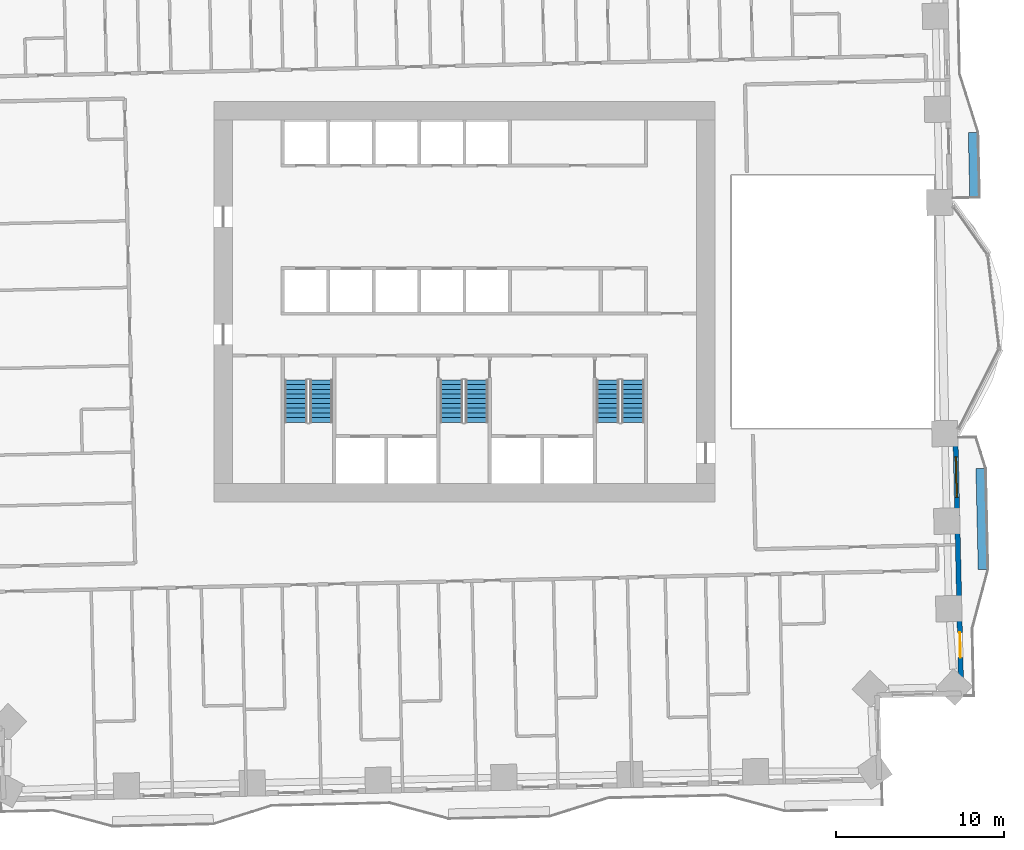
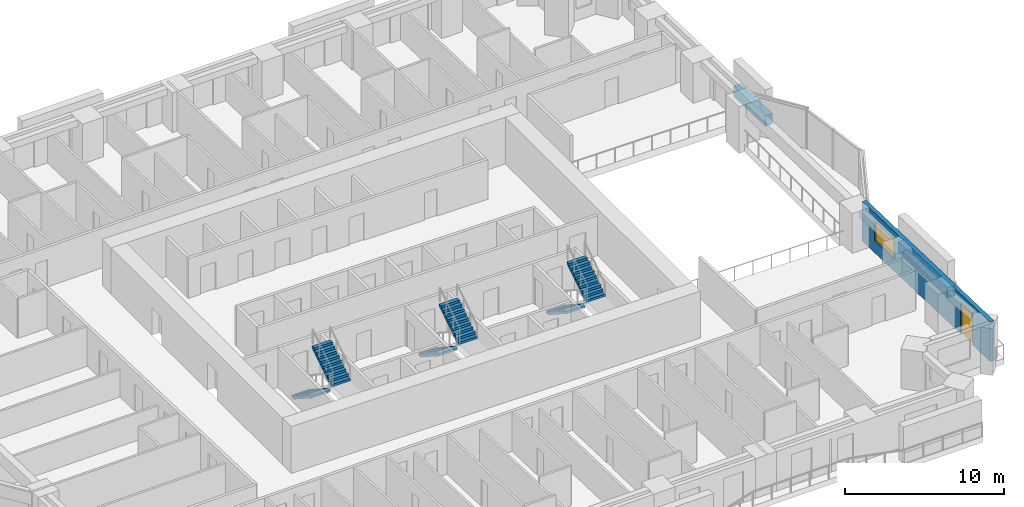
# One storey, part 12 of 16: 6 stair flights, 3 walls, 1 door, 1 window, 2 openings, 3 elements without a shape of their own.
"""IFC4 building model written with IfcOpenShell, lengths in metres."""

import ifcopenshell
import ifcopenshell.guid

model = None  # the IFC model being written
_history = None  # IfcOwnerHistory: only IFC2X3 demands one
_inside = {}  # id of a spatial element -> (the spatial element, [elements in it])
_under = {}  # id of a project, library or spatial element -> (it, [spatial elements below it])
_declared = {}  # id of a project -> (the project, [libraries it declares])
_typed = {}  # id of a type object -> (the type object, [elements of that type])
_made_of = {}  # id of a material, layer set ... -> (it, [elements and type objects made of it])


def new_model(schema):
    """Start an empty IFC model of exactly this schema.

    Asked for "IFC4X3", IfcOpenShell would pick the latest addendum, in which some entities
    have other attributes; the version numbers below select the first issue.
    IFC2X3 requires an IfcOwnerHistory on every rooted entity: one is made here for all.
    """
    global model, _history
    if schema == "IFC4X3":
        model = ifcopenshell.file(schema_version=(4, 3, 0, 0))
    else:
        model = ifcopenshell.file(schema=schema)
    _inside.clear()
    _under.clear()
    _declared.clear()
    _typed.clear()
    _made_of.clear()
    _history = None
    if model.schema == "IFC2X3":
        org = make("IfcOrganization", Name="unknown")
        user = make(
            "IfcPersonAndOrganization",
            ThePerson=make("IfcPerson", FamilyName="unknown"),
            TheOrganization=org,
        )
        app = make(
            "IfcApplication",
            ApplicationDeveloper=org,
            Version="unknown",
            ApplicationFullName="unknown",
            ApplicationIdentifier="unknown",
        )
        _history = make(
            "IfcOwnerHistory",
            OwningUser=user,
            OwningApplication=app,
            ChangeAction="ADDED",
            CreationDate=0,
        )
    return model


def make(cls, **values):
    """One entity of the class cls with the attributes given. An attribute that is None is left unset."""
    return model.create_entity(
        cls, **{name: value for name, value in values.items() if value is not None}
    )


def rooted(cls, **values):
    """An entity with a GlobalId (a new one), such as an element, a storey or a relation."""
    return make(cls, GlobalId=ifcopenshell.guid.new(), OwnerHistory=_history, **values)


def si_unit(unit_type, name, prefix=None):
    """IfcSIUnit, for example si_unit("LENGTHUNIT", "METRE", prefix="MILLI")."""
    return make("IfcSIUnit", UnitType=unit_type, Prefix=prefix, Name=name)


def assignment(units):
    """IfcUnitAssignment: the units of a project."""
    return None if units is None else make("IfcUnitAssignment", Units=units)


def point(xyz):
    """IfcCartesianPoint."""
    return None if xyz is None else make("IfcCartesianPoint", Coordinates=xyz)


def direction(xyz):
    """IfcDirection."""
    return None if xyz is None else make("IfcDirection", DirectionRatios=xyz)


def frame(location, z_axis=None, x_axis=None):
    """IfcAxis2Placement3D, a coordinate frame: its origin and axes. An axis left out is left unset."""
    return make(
        "IfcAxis2Placement3D",
        Location=point(location),
        Axis=direction(z_axis),
        RefDirection=direction(x_axis),
    )


def frame_2d(location, x_axis=None):
    """IfcAxis2Placement2D, a coordinate frame in the plane: its origin and x axis."""
    return make(
        "IfcAxis2Placement2D", Location=point(location), RefDirection=direction(x_axis)
    )


def origin():
    """The frame at (0, 0, 0) with its axes left unset."""
    return frame((0.0, 0.0, 0.0))


def place(relative_to, where):
    """IfcLocalPlacement: puts the frame where relative to a parent placement (None: the world)."""
    return make(
        "IfcLocalPlacement", PlacementRelTo=relative_to, RelativePlacement=where
    )


def context(
    kind, dimensions, precision=None, world=None, true_north=None, identifier=None
):
    """IfcGeometricRepresentationContext, for example the 3D "Model" context."""
    return make(
        "IfcGeometricRepresentationContext",
        ContextIdentifier=identifier,
        ContextType=kind,
        CoordinateSpaceDimension=dimensions,
        Precision=precision,
        WorldCoordinateSystem=world,
        TrueNorth=true_north,
    )


def subcontext(parent, identifier, kind, view, scale=None):
    """IfcGeometricRepresentationSubContext, for example "Body" below "Model"."""
    return make(
        "IfcGeometricRepresentationSubContext",
        ContextIdentifier=identifier,
        ContextType=kind,
        ParentContext=parent,
        TargetScale=scale,
        TargetView=view,
    )


def project(units=None, contexts=None):
    """IfcProject with its units and contexts."""
    return rooted(
        "IfcProject",
        Name="project",
        RepresentationContexts=contexts,
        UnitsInContext=assignment(units),
    )


def spatial(cls, under=None, at=None, **own):
    """A site, building, storey or space (cls), placed at a placement, below another one or the project."""
    s = rooted(cls, ObjectPlacement=at, **own)
    if under is not None:
        _under.setdefault(under.id(), (under, []))[1].append(s)
    return s


def polyline(points):
    """IfcPolyline through the points."""
    return make("IfcPolyline", Points=[point(p) for p in points])


def profile(cls, at=None, kind="AREA", **sizes):
    """A parametric profile (cls). Its sizes go by their IFC names, for example OverallWidth=200.0."""
    return make(cls, ProfileType=kind, Position=at, **sizes)


def rectangle(**sizes):
    """IfcRectangleProfileDef."""
    return profile("IfcRectangleProfileDef", **sizes)


def outline(outer, holes=None, kind="AREA"):
    """IfcArbitraryClosedProfileDef: a profile drawn as a closed curve; with holes, ...WithVoids."""
    if holes is None:
        return make("IfcArbitraryClosedProfileDef", ProfileType=kind, OuterCurve=outer)
    return make(
        "IfcArbitraryProfileDefWithVoids",
        ProfileType=kind,
        OuterCurve=outer,
        InnerCurves=holes,
    )


def extrude(swept, where, along, depth):
    """IfcExtrudedAreaSolid: the profile swept, set in the frame where, extruded along a direction by depth."""
    return make(
        "IfcExtrudedAreaSolid",
        SweptArea=swept,
        Position=where,
        ExtrudedDirection=direction(along),
        Depth=depth,
    )


def shape(context_of_items, identifier, shape_type, items):
    """IfcShapeRepresentation: the items that make up one representation, for example the "Body"."""
    return make(
        "IfcShapeRepresentation",
        ContextOfItems=context_of_items,
        RepresentationIdentifier=identifier,
        RepresentationType=shape_type,
        Items=items,
    )


def material(Name=None, Category=None):
    """IfcMaterial."""
    return make("IfcMaterial", Name=Name, Category=Category)


def layer(
    of_material, thickness, ventilated=None, Name=None, Category=None, Priority=None
):
    """IfcMaterialLayer: one layer of a wall or slab, of a material (None: an air gap)."""
    return make(
        "IfcMaterialLayer",
        Material=of_material,
        LayerThickness=thickness,
        IsVentilated=ventilated,
        Name=Name,
        Category=Category,
        Priority=Priority,
    )


def layer_set(layers, Name=None):
    """IfcMaterialLayerSet."""
    return make("IfcMaterialLayerSet", MaterialLayers=layers, LayerSetName=Name)


def made_of(thing, what):
    """Note that an element or type object is made of a material, layer set ...; save() writes the relation."""
    if what is not None:
        _made_of.setdefault(what.id(), (what, []))[1].append(thing)
    return thing


def type_object(cls, material=None, **own):
    """A type object (cls), such as IfcWallType, which elements share."""
    return made_of(rooted(cls, **own), material)


def element(
    cls,
    number,
    at=None,
    inside=None,
    cuts=None,
    type_object=None,
    material=None,
    context=None,
    identifier="Body",
    shape_type=None,
    held_by="IfcProductDefinitionShape",
    body=None,
    shapes=None,
    **own,
):
    """One element of the class cls, such as IfcWall. Its Tag is "e" and its number.

    at: its placement. inside: the storey or other place that contains it. cuts: it is an
    opening in that element (IfcRelVoidsElement). A single representation is given by context,
    identifier, shape_type and body (its items); several are given by shapes. held_by: the class
    of the entity that holds the representations. save() writes the other relations.
    """
    e = rooted(cls, Tag="e%d" % number, ObjectPlacement=at, **own)
    if body is not None:
        shapes = [shape(context, identifier, shape_type, body)]
    if shapes is not None:
        e.Representation = make(held_by, Representations=shapes)
    if inside is not None:
        _inside.setdefault(inside.id(), (inside, []))[1].append(e)
    if cuts is not None:
        rooted(
            "IfcRelVoidsElement", RelatingBuildingElement=cuts, RelatedOpeningElement=e
        )
    if type_object is not None:
        _typed.setdefault(type_object.id(), (type_object, []))[1].append(e)
    return made_of(e, material)


def fill(opening, filler):
    """IfcRelFillsElement: the door or window that sits in an opening."""
    return rooted(
        "IfcRelFillsElement",
        RelatingOpeningElement=opening,
        RelatedBuildingElement=filler,
    )


def aggregate(whole, parts):
    """IfcRelAggregates: a whole, such as a stair, and the parts it consists of."""
    return rooted("IfcRelAggregates", RelatingObject=whole, RelatedObjects=parts)


def save(model, path):
    """Write the relations noted so far, then the file.

    IfcRelAggregates (storeys below a building ...), IfcRelContainedInSpatialStructure (elements
    in a storey), IfcRelDefinesByType, IfcRelAssociatesMaterial and IfcRelDeclares: one each for
    every whole, place, type object, material and project.
    """
    for whole, parts in _under.values():
        aggregate(whole, parts)
    for where, things in _inside.values():
        rooted(
            "IfcRelContainedInSpatialStructure",
            RelatedElements=things,
            RelatingStructure=where,
        )
    for kind, things in _typed.values():
        rooted("IfcRelDefinesByType", RelatedObjects=things, RelatingType=kind)
    for what, things in _made_of.values():
        rooted("IfcRelAssociatesMaterial", RelatedObjects=things, RelatingMaterial=what)
    for by, libraries in _declared.values():
        rooted("IfcRelDeclares", RelatingContext=by, RelatedDefinitions=libraries)
    model.write(path)


model = new_model("IFC4")

# Units and contexts
model_context = context("Model", 3, precision=1e-05, world=origin(), true_north=direction((0.0, 1.0)))
body_context = subcontext(model_context, "Body", "Model", "MODEL_VIEW")
ifc_project = project(units=[si_unit("LENGTHUNIT", "METRE"), si_unit("AREAUNIT", "SQUARE_METRE"), si_unit("VOLUMEUNIT", "CUBIC_METRE"), si_unit("PLANEANGLEUNIT", "RADIAN"), si_unit("MASSUNIT", "GRAM", prefix="KILO")], contexts=[model_context])

# Site, building, storey
site_placement = place(None, origin())
site = spatial("IfcSite", under=ifc_project, at=site_placement, CompositionType="ELEMENT")
building_placement = place(site_placement, origin())
building = spatial("IfcBuilding", under=site, at=building_placement, Name="Mangrove Gate Tower", CompositionType="ELEMENT")
storey_placement = place(building_placement, frame((0.0, 0.0, 34.10009765625)))
storey = spatial("IfcBuildingStorey", under=building, at=storey_placement, Name="L07", CompositionType="ELEMENT", Elevation=34.10009765625)

# Wall, openings, door, window
ifc_material_1 = material(Name="Limestone", Category="masonry")
ifc_layer_1 = layer(ifc_material_1, 0.0400390625, Name="Limestone cladding")
ifc_material_2 = material(Name="Ventilated air gap")
ifc_layer_2 = layer(ifc_material_2, 0.0400390625, Name="Ventilated cavity")
ifc_material_3 = material(Name="Mineral wool insulation")
ifc_layer_3 = layer(ifc_material_3, 0.06005859375, Name="Insulation")
ifc_material_4 = material(Name="Breather membrane")
ifc_layer_4 = layer(ifc_material_4, 0.001953125, Name="Breather membrane")
ifc_material_5 = material(Name="Concrete C20/25 blockwork", Category="masonry")
ifc_layer_5 = layer(ifc_material_5, 0.14990234375, Name="Blockwork backing wall")
ifc_material_6 = material(Name="Gypsum plaster")
ifc_layer_6 = layer(ifc_material_6, 0.008056640625, Name="Internal plaster")
ifc_layer_set_1 = layer_set([ifc_layer_1, ifc_layer_2, ifc_layer_3, ifc_layer_4, ifc_layer_5, ifc_layer_6], Name="External wall 300 limestone cladding")
wall_type_1 = type_object("IfcWallType", Name="External wall 300 limestone cladding", PredefinedType="SOLIDWALL", material=ifc_layer_set_1)
wall_1_placement = place(storey_placement, frame((29.549072265625, -23.299072265625, 0.0), z_axis=(0.0, 0.0, 1.0), x_axis=(-0.022670336976, 0.999742994885, 0.0)))
wall_1 = element("IfcWall", 1, at=wall_1_placement, inside=storey, type_object=wall_type_1, Name="WALL-L07-E0", PredefinedType="SOLIDWALL", context=body_context, shape_type="SweptSolid", body=[
    extrude(rectangle(XDim=15.529052734375, YDim=0.300048828125, at=frame_2d((7.7646484375, 0.0))), origin(), (0.0, 0.0, 1.0), 3.0498046875),
])
opening_1_placement = place(wall_1_placement, frame((2.133056640625, 0.0, 0.0)))
opening_1 = element("IfcOpeningElement", 2, at=opening_1_placement, cuts=wall_1, Name="Opening BD1", PredefinedType="OPENING", context=body_context, shape_type="SweptSolid", body=[
    extrude(rectangle(XDim=1.5, YDim=2.39990234375, at=frame_2d((0.75, 1.199951171875))), frame((0.0, 0.159912109375, 0.0), z_axis=(0.0, -1.0, 0.0), x_axis=(1.0, 0.0, 0.0)), (0.0, 0.0, 1.0), 0.320068359375),
])
opening_2_placement = place(wall_1_placement, frame((11.669921875, 0.0, 0.89990234375)))
opening_2 = element("IfcOpeningElement", 3, at=opening_2_placement, cuts=wall_1, Name="Opening W2", PredefinedType="OPENING", context=body_context, shape_type="SweptSolid", body=[
    extrude(rectangle(XDim=2.39990234375, YDim=1.5, at=frame_2d((1.199951171875, 0.75))), frame((0.0, 0.159912109375, 0.0), z_axis=(0.0, -1.0, 0.0), x_axis=(1.0, 0.0, 0.0)), (0.0, 0.0, 1.0), 0.320068359375),
])
ifc_material_7 = material(Name="Aluminium frame with laminated clear glass", Category="aluminium")
door_type = type_object("IfcDoorType", Name="Balcony sliding door 1500x2400", OperationType="SLIDING_TO_LEFT", PredefinedType="DOOR", material=ifc_material_7)
door_placement = place(opening_1_placement, origin())
door = element("IfcDoor", 4, at=door_placement, inside=storey, type_object=door_type, Name="DOOR-L07-E0-1", OperationType="SLIDING_TO_LEFT", OverallHeight=2.39990234375, OverallWidth=1.5, PredefinedType="DOOR", context=body_context, shape_type="SweptSolid", body=[
    extrude(rectangle(XDim=1.5, YDim=2.39990234375, at=frame_2d((0.75, 1.199951171875))), frame((0.0, 0.02490234375, 0.0), z_axis=(0.0, -1.0, 0.0), x_axis=(1.0, 0.0, 0.0)), (0.0, 0.0, 1.0), 0.050048828125),
])
fill(opening_1, door)
ifc_material_8 = material(Name="Aluminium frame with double-glazed low-e glass", Category="aluminium")
window_type = type_object("IfcWindowType", Name="Corner room window 2400x1500", PartitioningType="DOUBLE_PANEL_VERTICAL", PredefinedType="WINDOW", material=ifc_material_8)
window_placement = place(opening_2_placement, origin())
window = element("IfcWindow", 5, at=window_placement, inside=storey, type_object=window_type, Name="WIN-L07-E0-2", OverallHeight=1.5, OverallWidth=2.39990234375, PartitioningType="DOUBLE_PANEL_VERTICAL", PredefinedType="WINDOW", context=body_context, shape_type="SweptSolid", body=[
    extrude(rectangle(XDim=2.39990234375, YDim=1.5, at=frame_2d((1.199951171875, 0.75))), frame((0.0, 0.030029296875, 0.0), z_axis=(0.0, -1.0, 0.0), x_axis=(1.0, 0.0, 0.0)), (0.0, 0.0, 1.0), 0.06005859375),
])
fill(opening_2, window)

# Walls
ifc_material_9 = material(Name="Concrete C32/40", Category="concrete")
ifc_layer_7 = layer(ifc_material_9, 0.199951171875, Name="Planter trough wall")
ifc_material_10 = material(Name="Bituminous waterproofing membrane")
ifc_layer_8 = layer(ifc_material_10, 0.0048828125, Name="Waterproofing")
ifc_material_11 = material(Name="Drainage board and gravel")
ifc_layer_9 = layer(ifc_material_11, 0.044921875, Name="Drainage layer")
ifc_material_12 = material(Name="Planting soil")
ifc_layer_10 = layer(ifc_material_12, 0.300048828125, Name="Growing medium")
ifc_layer_set_2 = layer_set([ifc_layer_7, ifc_layer_8, ifc_layer_9, ifc_layer_10], Name="Planter wall 550 C32/40")
wall_type_2 = type_object("IfcWallType", Name="Planter wall 550 C32/40", PredefinedType="USERDEFINED", material=ifc_layer_set_2)
wall_2_placement = place(storey_placement, frame((30.83203125, -15.91796875, 0.0), z_axis=(0.0, 0.0, 1.0), x_axis=(-0.022828630714, 0.999739392852, 0.0)))
element("IfcWall", 6, at=wall_2_placement, inside=storey, type_object=wall_type_2, Name="PLANTER L07 E0.1", ObjectType="PLANTER", PredefinedType="USERDEFINED", context=body_context, shape_type="SweptSolid", body=[
    extrude(rectangle(XDim=5.99951171875, YDim=0.550048828125, at=frame_2d((2.999755859375, 0.0))), origin(), (0.0, 0.0, 1.0), 0.7998046875),
])
wall_3_placement = place(storey_placement, frame((30.330078125, 6.200927734375, 0.0), z_axis=(0.0, 0.0, 1.0), x_axis=(-0.022744303924, 0.999741314861, 0.0)))
element("IfcWall", 7, at=wall_3_placement, inside=storey, type_object=wall_type_2, Name="PLANTER L07 E1.1", ObjectType="PLANTER", PredefinedType="USERDEFINED", context=body_context, shape_type="SweptSolid", body=[
    extrude(rectangle(XDim=3.875, YDim=0.550048828125, at=frame_2d((1.9375, 0.0))), origin(), (0.0, 0.0, 1.0), 0.7998046875),
])

# Stair, stair flights
ifc_material_13 = material(Name="Concrete C40/50", Category="concrete")
stair_type = type_object("IfcStairType", Name="Core stair 1350", PredefinedType="HALF_TURN_STAIR", material=ifc_material_13)
stair_1_placement = place(storey_placement, origin())
stair_1 = element("IfcStair", 8, at=stair_1_placement, inside=storey, type_object=stair_type, Name="L07 Stair 1", PredefinedType="HALF_TURN_STAIR")
ifc_material_14 = material(Name="Concrete C40/50", Category="concrete")
stair_flight_type = type_object("IfcStairFlightType", Name="Core stair flight 1350", PredefinedType="STRAIGHT", material=ifc_material_14)
stair_flight_1_placement = place(storey_placement, frame((-10.02490234375, -4.64990234375, 0.0), z_axis=(0.0, 0.0, 1.0), x_axis=(0.0, -1.0, 0.0)))
stair_flight_1 = element("IfcStairFlight", 9, at=stair_flight_1_placement, type_object=stair_flight_type, Name="ST1 flight 1", NumberOfRisers=10, NumberOfTreads=9, PredefinedType="STRAIGHT", RiserHeight=0.18, TreadLength=0.28, context=body_context, shape_type="SweptSolid", body=[
    extrude(outline(polyline([(0.0, 0.0), (0.0, 0.179931640625), (0.280029296875, 0.179931640625), (0.280029296875, 0.360107421875), (0.56005859375, 0.360107421875), (0.56005859375, 0.5400390625), (0.840087890625, 0.5400390625), (0.840087890625, 0.719970703125), (1.1201171875, 0.719970703125), (1.1201171875, 0.89990234375), (1.39990234375, 0.89990234375), (1.39990234375, 1.080078125), (1.679931640625, 1.080078125), (1.679931640625, 1.260009765625), (1.9599609375, 1.260009765625), (1.9599609375, 1.43994140625), (2.239990234375, 1.43994140625), (2.239990234375, 1.6201171875), (2.52001953125, 1.6201171875), (2.52001953125, 1.800048828125), (2.52001953125, 1.44189453125), (0.277099609375, 0.0), (0.0, 0.0)])), frame((0.0, 0.675048828125, 0.0), z_axis=(0.0, -1.0, 0.0), x_axis=(1.0, 0.0, 0.0)), (0.0, 0.0, 1.0), 1.35009765625),
])
stair_flight_2_placement = place(storey_placement, frame((-8.52490234375, -7.169921875, 1.7998046875), z_axis=(0.0, 0.0, 1.0), x_axis=(0.0, 1.0, 0.0)))
stair_flight_2 = element("IfcStairFlight", 10, at=stair_flight_2_placement, type_object=stair_flight_type, Name="ST1 flight 2", NumberOfRisers=10, NumberOfTreads=9, PredefinedType="STRAIGHT", RiserHeight=0.18, TreadLength=0.28, context=body_context, shape_type="SweptSolid", body=[
    extrude(outline(polyline([(0.0, 0.0), (0.0, 0.179931640625), (0.280029296875, 0.179931640625), (0.280029296875, 0.360107421875), (0.56005859375, 0.360107421875), (0.56005859375, 0.5400390625), (0.840087890625, 0.5400390625), (0.840087890625, 0.719970703125), (1.1201171875, 0.719970703125), (1.1201171875, 0.89990234375), (1.39990234375, 0.89990234375), (1.39990234375, 1.080078125), (1.679931640625, 1.080078125), (1.679931640625, 1.260009765625), (1.9599609375, 1.260009765625), (1.9599609375, 1.43994140625), (2.239990234375, 1.43994140625), (2.239990234375, 1.6201171875), (2.52001953125, 1.6201171875), (2.52001953125, 1.800048828125), (2.52001953125, 1.44189453125), (0.277099609375, 0.0), (0.0, 0.0)])), frame((0.0, 0.675048828125, 0.0), z_axis=(0.0, -1.0, 0.0), x_axis=(1.0, 0.0, 0.0)), (0.0, 0.0, 1.0), 1.35009765625),
])
aggregate(stair_1, [stair_flight_1, stair_flight_2])

stair_2_placement = place(storey_placement, origin())
stair_2 = element("IfcStair", 11, at=stair_2_placement, inside=storey, type_object=stair_type, Name="L07 Stair 2", PredefinedType="HALF_TURN_STAIR")
stair_flight_3_placement = place(storey_placement, frame((-0.77490234375, -4.64990234375, 0.0), z_axis=(0.0, 0.0, 1.0), x_axis=(0.0, -1.0, 0.0)))
stair_flight_3 = element("IfcStairFlight", 12, at=stair_flight_3_placement, type_object=stair_flight_type, Name="ST2 flight 1", NumberOfRisers=10, NumberOfTreads=9, PredefinedType="STRAIGHT", RiserHeight=0.18, TreadLength=0.28, context=body_context, shape_type="SweptSolid", body=[
    extrude(outline(polyline([(0.0, 0.0), (0.0, 0.179931640625), (0.280029296875, 0.179931640625), (0.280029296875, 0.360107421875), (0.56005859375, 0.360107421875), (0.56005859375, 0.5400390625), (0.840087890625, 0.5400390625), (0.840087890625, 0.719970703125), (1.1201171875, 0.719970703125), (1.1201171875, 0.89990234375), (1.39990234375, 0.89990234375), (1.39990234375, 1.080078125), (1.679931640625, 1.080078125), (1.679931640625, 1.260009765625), (1.9599609375, 1.260009765625), (1.9599609375, 1.43994140625), (2.239990234375, 1.43994140625), (2.239990234375, 1.6201171875), (2.52001953125, 1.6201171875), (2.52001953125, 1.800048828125), (2.52001953125, 1.44189453125), (0.277099609375, 0.0), (0.0, 0.0)])), frame((0.0, 0.675048828125, 0.0), z_axis=(0.0, -1.0, 0.0), x_axis=(1.0, 0.0, 0.0)), (0.0, 0.0, 1.0), 1.35009765625),
])
stair_flight_4_placement = place(storey_placement, frame((0.72509765625, -7.169921875, 1.7998046875), z_axis=(0.0, 0.0, 1.0), x_axis=(0.0, 1.0, 0.0)))
stair_flight_4 = element("IfcStairFlight", 13, at=stair_flight_4_placement, type_object=stair_flight_type, Name="ST2 flight 2", NumberOfRisers=10, NumberOfTreads=9, PredefinedType="STRAIGHT", RiserHeight=0.18, TreadLength=0.28, context=body_context, shape_type="SweptSolid", body=[
    extrude(outline(polyline([(0.0, 0.0), (0.0, 0.179931640625), (0.280029296875, 0.179931640625), (0.280029296875, 0.360107421875), (0.56005859375, 0.360107421875), (0.56005859375, 0.5400390625), (0.840087890625, 0.5400390625), (0.840087890625, 0.719970703125), (1.1201171875, 0.719970703125), (1.1201171875, 0.89990234375), (1.39990234375, 0.89990234375), (1.39990234375, 1.080078125), (1.679931640625, 1.080078125), (1.679931640625, 1.260009765625), (1.9599609375, 1.260009765625), (1.9599609375, 1.43994140625), (2.239990234375, 1.43994140625), (2.239990234375, 1.6201171875), (2.52001953125, 1.6201171875), (2.52001953125, 1.800048828125), (2.52001953125, 1.44189453125), (0.277099609375, 0.0), (0.0, 0.0)])), frame((0.0, 0.675048828125, 0.0), z_axis=(0.0, -1.0, 0.0), x_axis=(1.0, 0.0, 0.0)), (0.0, 0.0, 1.0), 1.35009765625),
])
aggregate(stair_2, [stair_flight_3, stair_flight_4])

stair_3_placement = place(storey_placement, origin())
stair_3 = element("IfcStair", 14, at=stair_3_placement, inside=storey, type_object=stair_type, Name="L07 Stair 3", PredefinedType="HALF_TURN_STAIR")
stair_flight_5_placement = place(storey_placement, frame((8.52490234375, -4.64990234375, 0.0), z_axis=(0.0, 0.0, 1.0), x_axis=(0.0, -1.0, 0.0)))
stair_flight_5 = element("IfcStairFlight", 15, at=stair_flight_5_placement, type_object=stair_flight_type, Name="ST3 flight 1", NumberOfRisers=10, NumberOfTreads=9, PredefinedType="STRAIGHT", RiserHeight=0.18, TreadLength=0.28, context=body_context, shape_type="SweptSolid", body=[
    extrude(outline(polyline([(0.0, 0.0), (0.0, 0.179931640625), (0.280029296875, 0.179931640625), (0.280029296875, 0.360107421875), (0.56005859375, 0.360107421875), (0.56005859375, 0.5400390625), (0.840087890625, 0.5400390625), (0.840087890625, 0.719970703125), (1.1201171875, 0.719970703125), (1.1201171875, 0.89990234375), (1.39990234375, 0.89990234375), (1.39990234375, 1.080078125), (1.679931640625, 1.080078125), (1.679931640625, 1.260009765625), (1.9599609375, 1.260009765625), (1.9599609375, 1.43994140625), (2.239990234375, 1.43994140625), (2.239990234375, 1.6201171875), (2.52001953125, 1.6201171875), (2.52001953125, 1.800048828125), (2.52001953125, 1.44189453125), (0.277099609375, 0.0), (0.0, 0.0)])), frame((0.0, 0.675048828125, 0.0), z_axis=(0.0, -1.0, 0.0), x_axis=(1.0, 0.0, 0.0)), (0.0, 0.0, 1.0), 1.35009765625),
])
stair_flight_6_placement = place(storey_placement, frame((10.02490234375, -7.169921875, 1.7998046875), z_axis=(0.0, 0.0, 1.0), x_axis=(0.0, 1.0, 0.0)))
stair_flight_6 = element("IfcStairFlight", 16, at=stair_flight_6_placement, type_object=stair_flight_type, Name="ST3 flight 2", NumberOfRisers=10, NumberOfTreads=9, PredefinedType="STRAIGHT", RiserHeight=0.18, TreadLength=0.28, context=body_context, shape_type="SweptSolid", body=[
    extrude(outline(polyline([(0.0, 0.0), (0.0, 0.179931640625), (0.280029296875, 0.179931640625), (0.280029296875, 0.360107421875), (0.56005859375, 0.360107421875), (0.56005859375, 0.5400390625), (0.840087890625, 0.5400390625), (0.840087890625, 0.719970703125), (1.1201171875, 0.719970703125), (1.1201171875, 0.89990234375), (1.39990234375, 0.89990234375), (1.39990234375, 1.080078125), (1.679931640625, 1.080078125), (1.679931640625, 1.260009765625), (1.9599609375, 1.260009765625), (1.9599609375, 1.43994140625), (2.239990234375, 1.43994140625), (2.239990234375, 1.6201171875), (2.52001953125, 1.6201171875), (2.52001953125, 1.800048828125), (2.52001953125, 1.44189453125), (0.277099609375, 0.0), (0.0, 0.0)])), frame((0.0, 0.675048828125, 0.0), z_axis=(0.0, -1.0, 0.0), x_axis=(1.0, 0.0, 0.0)), (0.0, 0.0, 1.0), 1.35009765625),
])
aggregate(stair_3, [stair_flight_5, stair_flight_6])

save(model, "model.ifc")
